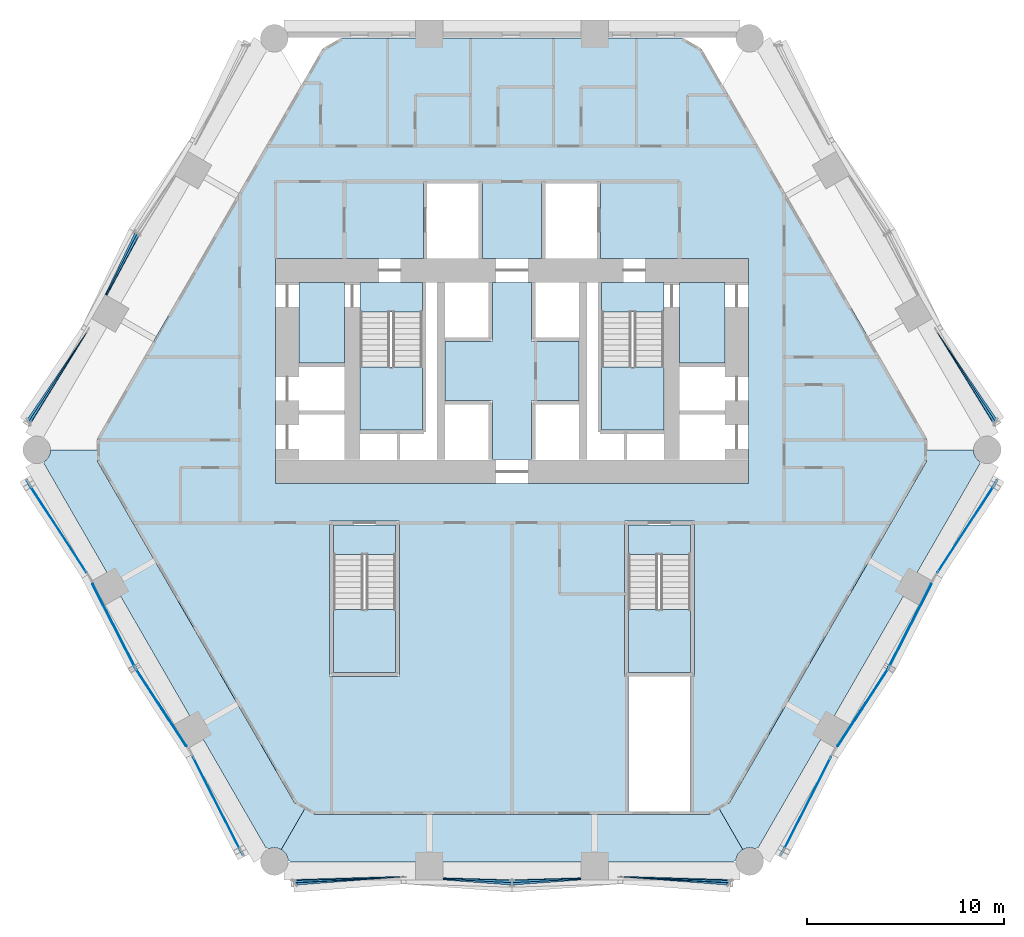
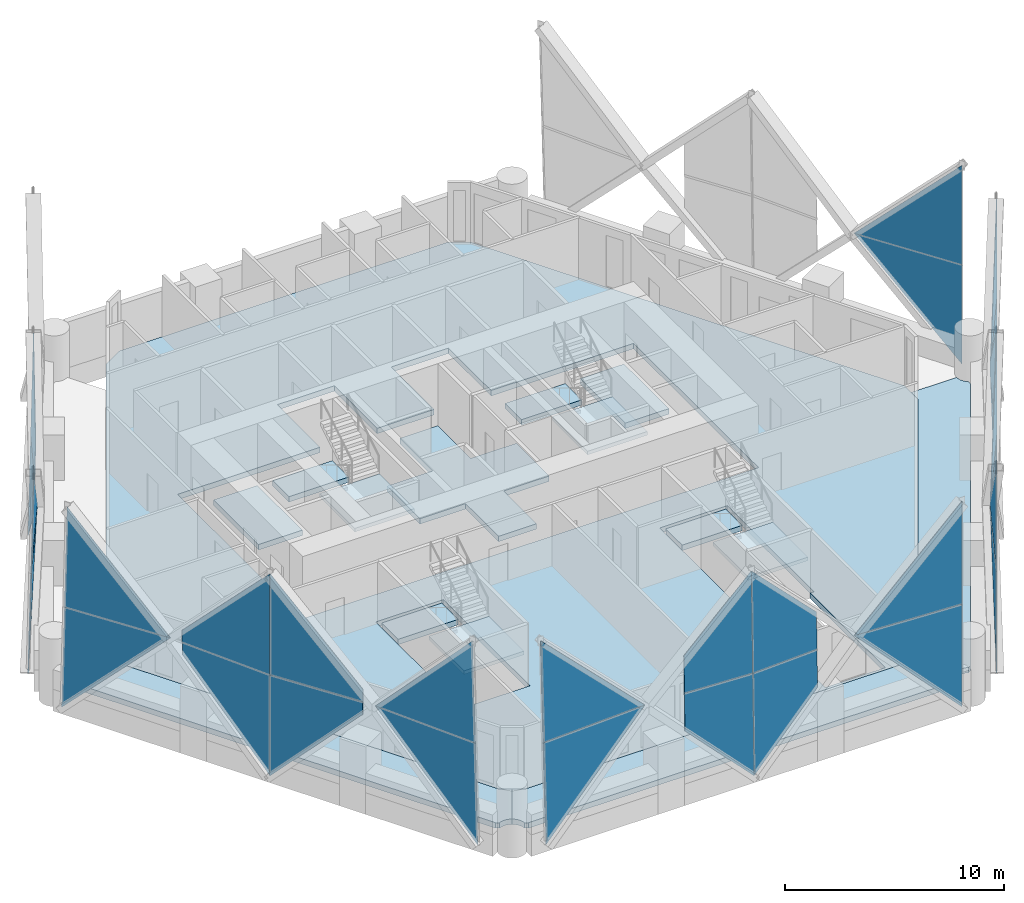
# One storey, part 9 of 22: 30 plates, 15 slabs, 22 elements without a shape of their own.
"""IFC4 building model written with IfcOpenShell, lengths in metres."""

from ifc_helpers import new_model, si_unit, direction, frame, origin, place, context, subcontext, project, spatial, polyline, outline, extrude, material, layer, layer_set, type_object, element, aggregate, save


model = new_model("IFC4")

# Units and contexts
model_context = context("Model", 3, precision=1e-05, world=origin(), true_north=direction((0.0, 1.0)))
body_context = subcontext(model_context, "Body", "Model", "MODEL_VIEW")
ifc_project = project(units=[si_unit("LENGTHUNIT", "METRE"), si_unit("AREAUNIT", "SQUARE_METRE"), si_unit("VOLUMEUNIT", "CUBIC_METRE"), si_unit("PLANEANGLEUNIT", "RADIAN"), si_unit("MASSUNIT", "GRAM", prefix="KILO")], contexts=[model_context])

# Site, building, storey
site_placement = place(None, origin())
site = spatial("IfcSite", under=ifc_project, at=site_placement, CompositionType="ELEMENT")
building_placement = place(site_placement, origin())
building = spatial("IfcBuilding", under=site, at=building_placement, Name="Ostrander Bayou Hotel Tower", CompositionType="ELEMENT")
storey_placement = place(building_placement, frame((0.0, 0.0, 35.5)))
storey = spatial("IfcBuildingStorey", under=building, at=storey_placement, Name="L08", CompositionType="ELEMENT", Elevation=35.5)

# Curtain wall, plate
ifc_material_1 = material(Name="Aluminium and clear glass", Category="aluminium")
curtain_wall_type = type_object("IfcCurtainWallType", Name="CW-LAT lattice glazing", PredefinedType="NOTDEFINED", material=ifc_material_1)
curtain_wall_1_placement = place(storey_placement, origin())
curtain_wall_1 = element("IfcCurtainWall", 1, at=curtain_wall_1_placement, inside=storey, type_object=curtain_wall_type, Name="CW-LAT L08 NW 3", PredefinedType="NOTDEFINED")
ifc_material_2 = material(Name="Clear laminated glass", Category="glass")
ifc_layer_1 = layer(ifc_material_2, 0.028076171875)
ifc_layer_set_1 = layer_set([ifc_layer_1], Name="CW-LA glazing panel 28 mm")
plate_type = type_object("IfcPlateType", Name="CW-LA glazing panel 28 mm", PredefinedType="CURTAIN_PANEL", material=ifc_layer_set_1)
plate_1_placement = place(storey_placement, frame((-20.63330078125, 7.8828125, 2.96240234375), z_axis=(-0.89065302554, 0.454162606444, 0.021760399925), x_axis=(0.304425828024, 0.631186879548, -0.713391924763)))
plate_1 = element("IfcPlate", 2, at=plate_1_placement, type_object=plate_type, Name="CW-LAT panel 5", PredefinedType="CURTAIN_PANEL", context=body_context, shape_type="SweptSolid", body=[
    extrude(outline(polyline([(0.0, 0.0), (4.99375585285075, 0.0), (0.9746522902781789, -3.9373236157538294), (-1.4720464066005683, -1.4453303511989464), (0.0, 0.0)])), origin(), (0.0, 0.0, -1.0), 0.028076171875),
])
aggregate(curtain_wall_1, [plate_1])

curtain_wall_2_placement = place(storey_placement, origin())
curtain_wall_2 = element("IfcCurtainWall", 3, at=curtain_wall_2_placement, inside=storey, type_object=curtain_wall_type, Name="CW-LAT L08 NW 4", PredefinedType="NOTDEFINED")
plate_2_placement = place(storey_placement, frame((-20.554443359375, 7.83984375, 7.090087890625), z_axis=(-0.890641544297, 0.454184739941, 0.021768361814), x_axis=(0.331778948191, 0.616380066581, 0.714141682763)))
plate_2 = element("IfcPlate", 4, at=plate_2_placement, type_object=plate_type, Name="CW-LAT panel 6", PredefinedType="CURTAIN_PANEL", context=body_context, shape_type="SweptSolid", body=[
    extrude(outline(polyline([(0.0, 0.0), (4.984744533527329, 0.0), (0.9702335919741518, 3.9419995865694277), (-1.4747146577726418, 1.4464556208432884), (0.0, 0.0)])), origin(), (0.0, 0.0, -1.0), 0.028076171875),
])
aggregate(curtain_wall_2, [plate_2])

curtain_wall_3_placement = place(storey_placement, origin())
curtain_wall_3 = element("IfcCurtainWall", 5, at=curtain_wall_3_placement, inside=storey, type_object=curtain_wall_type, Name="CW-LAT L08 NW 1", PredefinedType="NOTDEFINED")
plate_3_placement = place(storey_placement, frame((-21.513671875, 6.0576171875, 5.02490234375), z_axis=(-0.83863654021, 0.544229113436, 0.022437145865), x_axis=(-0.392393329971, -0.575067785554, -0.717861070551)))
plate_3 = element("IfcPlate", 6, at=plate_3_placement, type_object=plate_type, Name="CW-LAT panel 7", PredefinedType="CURTAIN_PANEL", context=body_context, shape_type="SweptSolid", body=[
    extrude(outline(polyline([(0.0, 0.0), (7.835778022733045, -4.440892098500626e-16), (3.840647643080846, 3.9622785757409424), (0.0, 0.0)])), origin(), (0.0, 0.0, -1.0), 0.028076171875),
])
aggregate(curtain_wall_3, [plate_3])

curtain_wall_4_placement = place(storey_placement, origin())
curtain_wall_4 = element("IfcCurtainWall", 7, at=curtain_wall_4_placement, inside=storey, type_object=curtain_wall_type, Name="CW-LAT L08 NW 2", PredefinedType="NOTDEFINED")
plate_4_placement = place(storey_placement, frame((-21.513671875, 6.0576171875, 5.02490234375), z_axis=(-0.83863654021, 0.544229113436, 0.022437145865), x_axis=(-0.370058319688, -0.599504334617, 0.709684009123)))
plate_4 = element("IfcPlate", 8, at=plate_4_placement, type_object=plate_type, Name="CW-LAT panel 8", PredefinedType="CURTAIN_PANEL", context=body_context, shape_type="SweptSolid", body=[
    extrude(outline(polyline([(0.0, 0.0), (7.926062765522442, -4.440892098500626e-16), (3.8866698607844468, -3.917144779472408), (0.0, 0.0)])), origin(), (0.0, 0.0, -1.0), 0.028076171875),
])
aggregate(curtain_wall_4, [plate_4])

curtain_wall_5_placement = place(storey_placement, origin())
curtain_wall_5 = element("IfcCurtainWall", 9, at=curtain_wall_5_placement, inside=storey, type_object=curtain_wall_type, Name="CW-LAT L08 SW 3", PredefinedType="NOTDEFINED")
plate_5_placement = place(storey_placement, frame((-21.56689453125, -6.211181640625, 5.02490234375), z_axis=(0.83829749854, 0.54521140652, 0.001351348216), x_axis=(-0.382244424421, 0.589489098619, -0.711612115277)))
plate_5 = element("IfcPlate", 10, at=plate_5_placement, type_object=plate_type, Name="CW-LAT panel 1", PredefinedType="CURTAIN_PANEL", context=body_context, shape_type="SweptSolid", body=[
    extrude(outline(polyline([(0.0, 0.0), (7.904587175011981, -4.440892098500626e-16), (3.8023149495079824, 3.851244065241004), (0.0, 0.0)])), origin(), (0.0, 0.0, -1.0), 0.028076171875),
])

curtain_wall_6_placement = place(storey_placement, origin())
curtain_wall_6 = element("IfcCurtainWall", 11, at=curtain_wall_6_placement, inside=storey, type_object=curtain_wall_type, Name="CW-LAT L08 SW 4", PredefinedType="NOTDEFINED")
plate_6_placement = place(storey_placement, frame((-21.56689453125, -6.211181640625, 5.02490234375), z_axis=(0.83829749854, 0.54521140652, 0.001351348216), x_axis=(-0.373606749057, 0.572635641145, 0.729730374556)))
plate_6 = element("IfcPlate", 12, at=plate_6_placement, type_object=plate_type, Name="CW-LAT panel 2", PredefinedType="CURTAIN_PANEL", context=body_context, shape_type="SweptSolid", body=[
    extrude(outline(polyline([(0.0, 0.0), (7.708326521861874, 0.0), (3.7003660372297182, -3.9493000665716416), (0.0, 0.0)])), origin(), (0.0, 0.0, -1.0), 0.028076171875),
])

curtain_wall_7_placement = place(storey_placement, origin())
curtain_wall_7 = element("IfcCurtainWall", 13, at=curtain_wall_7_placement, inside=storey, type_object=curtain_wall_type, Name="CW-LAT L08 SW 1", PredefinedType="NOTDEFINED")
plate_7_placement = place(storey_placement, frame((-21.267333984375, -6.800048828125, 4.33837890625), z_axis=(-0.891322840593, -0.453369158454, 0.0), x_axis=(0.314326100962, -0.617964473227, -0.720637920237)))
plate_7 = element("IfcPlate", 14, at=plate_7_placement, type_object=plate_type, Name="CW-LAT panel 3", PredefinedType="CURTAIN_PANEL", context=body_context, shape_type="SweptSolid", body=[
    extrude(outline(polyline([(0.0, 0.0), (6.852923533187115, 0.0), (2.7993352318532954, 3.8998778036355977), (-0.49473482219404075, 0.4759746694367752), (0.0, 0.0)])), origin(), (0.0, 0.0, -1.0), 0.028076171875),
])

curtain_wall_8_placement = place(storey_placement, origin())
curtain_wall_8 = element("IfcCurtainWall", 15, at=curtain_wall_8_placement, inside=storey, type_object=curtain_wall_type, Name="CW-LAT L08 SW 2", PredefinedType="NOTDEFINED")
plate_8_placement = place(storey_placement, frame((-21.267333984375, -6.800048828125, 5.711669921875), z_axis=(0.891322840593, 0.453369158454, 0.0), x_axis=(0.314334170853, -0.617980338618, 0.720620794951)))
plate_8 = element("IfcPlate", 16, at=plate_8_placement, type_object=plate_type, Name="CW-LAT panel 4", PredefinedType="CURTAIN_PANEL", context=body_context, shape_type="SweptSolid", body=[
    extrude(outline(polyline([(0.0, 0.0), (6.85274759828533, 0.0), (2.799255626685898, 3.89997792765279), (-0.4948989980950175, 0.4761561593093446), (0.0, 0.0)])), origin(), (0.0, 0.0, -1.0), 0.028076171875),
])

# Plate
plate_9_placement = place(storey_placement, frame((-16.52197265625, -15.01904296875, 4.339599609375), z_axis=(0.838287489363, 0.545228470623, 0.0), x_axis=(-0.37802629834, 0.581214543303, -0.7206148572)))
plate_9 = element("IfcPlate", 17, at=plate_9_placement, type_object=plate_type, Name="CW-LAT panel 5", PredefinedType="CURTAIN_PANEL", context=body_context, shape_type="SweptSolid", body=[
    extrude(outline(polyline([(0.0, 0.0), (6.8548368331193625, 0.0), (2.801378261371503, 3.9000126419184604), (-0.4938393320701493, 0.4751447693517846), (0.0, 0.0)])), origin(), (0.0, 0.0, -1.0), 0.028076171875),
])

aggregate(curtain_wall_5, [plate_5, plate_9])

plate_10_placement = place(storey_placement, frame((-16.52197265625, -15.01904296875, 5.710205078125), z_axis=(-0.838287489363, -0.545228470623, 0.0), x_axis=(-0.37802629834, 0.581214543303, 0.7206148572)))
plate_10 = element("IfcPlate", 18, at=plate_10_placement, type_object=plate_type, Name="CW-LAT panel 6", PredefinedType="CURTAIN_PANEL", context=body_context, shape_type="SweptSolid", body=[
    extrude(outline(polyline([(0.0, 0.0), (6.8548368331193625, 0.0), (2.801378261371503, 3.9000126419184604), (-0.4938393320701493, 0.4751447693517846), (0.0, 0.0)])), origin(), (0.0, 0.0, -1.0), 0.028076171875),
])

aggregate(curtain_wall_6, [plate_6, plate_10])

plate_11_placement = place(storey_placement, frame((-16.16259765625, -15.572021484375, 5.02490234375), z_axis=(0.891301242353, 0.453409696674, 0.001319977554), x_axis=(0.319390978433, -0.625778997585, -0.711610883192)))
plate_11 = element("IfcPlate", 19, at=plate_11_placement, type_object=plate_type, Name="CW-LAT panel 7", PredefinedType="CURTAIN_PANEL", context=body_context, shape_type="SweptSolid", body=[
    extrude(outline(polyline([(0.0, 0.0), (7.904600861031785, 0.0), (3.8023291402610164, -3.8512446028732104), (0.0, 0.0)])), origin(), (0.0, 0.0, -1.0), 0.028076171875),
])

aggregate(curtain_wall_7, [plate_7, plate_11])

plate_12_placement = place(storey_placement, frame((-16.16259765625, -15.572021484375, 5.02490234375), z_axis=(0.891301242353, 0.453409696674, 0.001319977554), x_axis=(0.309153546945, -0.60985058359, 0.729730326975)))
plate_12 = element("IfcPlate", 20, at=plate_12_placement, type_object=plate_type, Name="CW-LAT panel 8", PredefinedType="CURTAIN_PANEL", context=body_context, shape_type="SweptSolid", body=[
    extrude(outline(polyline([(0.0, 0.0), (7.708327024474441, -1.3322676295501878e-15), (3.700373567114912, 3.9493071982102608), (0.0, 0.0)])), origin(), (0.0, 0.0, -1.0), 0.028076171875),
])

aggregate(curtain_wall_8, [plate_8, plate_12])

# Curtain wall, plate
curtain_wall_9_placement = place(storey_placement, origin())
curtain_wall_9 = element("IfcCurtainWall", 21, at=curtain_wall_9_placement, inside=storey, type_object=curtain_wall_type, Name="CW-LAT L08 S 3", PredefinedType="NOTDEFINED")
plate_13_placement = place(storey_placement, frame((-5.5107421875, -21.660400390625, 5.02490234375), z_axis=(0.051972154373, -0.998396143412, 0.022450745873), x_axis=(-0.6942326437, -0.052280871382, -0.717849390129)))
plate_13 = element("IfcPlate", 22, at=plate_13_placement, type_object=plate_type, Name="CW-LAT panel 1", PredefinedType="CURTAIN_PANEL", context=body_context, shape_type="SweptSolid", body=[
    extrude(outline(polyline([(0.0, 0.0), (7.8359055218942615, -4.440892098500626e-16), (3.8407346820008614, -3.9622377796216433), (0.0, 0.0)])), origin(), (0.0, 0.0, -1.0), 0.028076171875),
])

curtain_wall_10_placement = place(storey_placement, origin())
curtain_wall_10 = element("IfcCurtainWall", 23, at=curtain_wall_10_placement, inside=storey, type_object=curtain_wall_type, Name="CW-LAT L08 S 4", PredefinedType="NOTDEFINED")
plate_14_placement = place(storey_placement, frame((-5.5107421875, -21.660400390625, 5.02490234375), z_axis=(0.051972154373, -0.998396143412, 0.022450745873), x_axis=(-0.70420853583, -0.020699332345, 0.709691394695)))
plate_14 = element("IfcPlate", 24, at=plate_14_placement, type_object=plate_type, Name="CW-LAT panel 2", PredefinedType="CURTAIN_PANEL", context=body_context, shape_type="SweptSolid", body=[
    extrude(outline(polyline([(0.0, 0.0), (7.925980281069895, 4.440892098500626e-16), (3.886649606020842, 3.9172089502352754), (0.0, 0.0)])), origin(), (0.0, 0.0, -1.0), 0.028076171875),
])

curtain_wall_11_placement = place(storey_placement, origin())
curtain_wall_11 = element("IfcCurtainWall", 25, at=curtain_wall_11_placement, inside=storey, type_object=curtain_wall_type, Name="CW-LAT L08 S 1", PredefinedType="NOTDEFINED")
plate_15_placement = place(storey_placement, frame((-3.489990234375, -21.810546875, 2.96240234375), z_axis=(-0.051995287721, -0.998409367734, 0.021799643944), x_axis=(0.698853953193, -0.051971073788, -0.713373786732)))
plate_15 = element("IfcPlate", 26, at=plate_15_placement, type_object=plate_type, Name="CW-LAT panel 3", PredefinedType="CURTAIN_PANEL", context=body_context, shape_type="SweptSolid", body=[
    extrude(outline(polyline([(0.0, 0.0), (4.9938751973434234, 0.0), (0.9747654570070761, 3.9373166505197696), (-1.4719618868056428, 1.4454267151489575), (0.0, 0.0)])), origin(), (0.0, 0.0, -1.0), 0.028076171875),
])

curtain_wall_12_placement = place(storey_placement, origin())
curtain_wall_12 = element("IfcCurtainWall", 27, at=curtain_wall_12_placement, inside=storey, type_object=curtain_wall_type, Name="CW-LAT L08 S 2", PredefinedType="NOTDEFINED")
plate_16_placement = place(storey_placement, frame((-3.487548828125, -21.720703125, 7.090087890625), z_axis=(-0.051959581698, -0.998411536, 0.021785468831), x_axis=(0.699666811549, -0.020829048641, 0.714165599528)))
plate_16 = element("IfcPlate", 28, at=plate_16_placement, type_object=plate_type, Name="CW-LAT panel 4", PredefinedType="CURTAIN_PANEL", context=body_context, shape_type="SweptSolid", body=[
    extrude(outline(polyline([(0.0, 0.0), (4.984580409026252, 0.0), (0.9699567758100394, -3.9418907380905286), (-1.4749736968566496, -1.4461894941795186), (0.0, 0.0)])), origin(), (0.0, 0.0, -1.0), 0.028076171875),
])

# Plate
plate_17_placement = place(storey_placement, frame((3.490234375, -21.810546875, 2.962646484375), z_axis=(0.051994431512, -0.99840925302, 0.021806938701), x_axis=(-0.698854164274, -0.051975691748, -0.713373243502)))
plate_17 = element("IfcPlate", 29, at=plate_17_placement, type_object=plate_type, Name="CW-LAT panel 5", PredefinedType="CURTAIN_PANEL", context=body_context, shape_type="SweptSolid", body=[
    extrude(outline(polyline([(0.0, 0.0), (4.994219979299379, -4.440892098500626e-16), (0.9751127275332518, -3.9373191904089238), (-1.4711043351666815, -1.4459532906479644), (0.0, 0.0)])), origin(), (0.0, 0.0, -1.0), 0.028076171875),
])

aggregate(curtain_wall_9, [plate_13, plate_17])

plate_18_placement = place(storey_placement, frame((3.486328125, -21.720703125, 7.09130859375), z_axis=(0.051968257254, -0.998411016142, 0.021788599881), x_axis=(-0.699664352858, -0.020832721292, 0.714167901171)))
plate_18 = element("IfcPlate", 30, at=plate_18_placement, type_object=plate_type, Name="CW-LAT panel 6", PredefinedType="CURTAIN_PANEL", context=body_context, shape_type="SweptSolid", body=[
    extrude(outline(polyline([(0.0, 0.0), (4.982854539266031, 8.881784197001252e-16), (0.9682184103181013, 3.941878012005499), (-1.4765333345513856, 1.4463429866847186), (0.0, 0.0)])), origin(), (0.0, 0.0, -1.0), 0.028076171875),
])

aggregate(curtain_wall_10, [plate_14, plate_18])

plate_19_placement = place(storey_placement, frame((5.5107421875, -21.660400390625, 5.02490234375), z_axis=(-0.051972154373, -0.998396143412, 0.022450745873), x_axis=(0.6942326437, -0.052280871382, -0.717849390129)))
plate_19 = element("IfcPlate", 31, at=plate_19_placement, type_object=plate_type, Name="CW-LAT panel 7", PredefinedType="CURTAIN_PANEL", context=body_context, shape_type="SweptSolid", body=[
    extrude(outline(polyline([(0.0, 0.0), (7.8359055218942615, 4.440892098500626e-16), (3.8407346820008614, 3.9622377796216433), (0.0, 0.0)])), origin(), (0.0, 0.0, -1.0), 0.028076171875),
])

aggregate(curtain_wall_11, [plate_15, plate_19])

plate_20_placement = place(storey_placement, frame((5.5107421875, -21.660400390625, 5.02490234375), z_axis=(-0.051972154373, -0.998396143412, 0.022450745873), x_axis=(0.70420853583, -0.020699332345, 0.709691394695)))
plate_20 = element("IfcPlate", 32, at=plate_20_placement, type_object=plate_type, Name="CW-LAT panel 8", PredefinedType="CURTAIN_PANEL", context=body_context, shape_type="SweptSolid", body=[
    extrude(outline(polyline([(0.0, 0.0), (7.925980281069895, -4.440892098500626e-16), (3.886649606020842, -3.9172089502352754), (0.0, 0.0)])), origin(), (0.0, 0.0, -1.0), 0.028076171875),
])

aggregate(curtain_wall_12, [plate_16, plate_20])

# Curtain wall, plate
curtain_wall_13_placement = place(storey_placement, origin())
curtain_wall_13 = element("IfcCurtainWall", 33, at=curtain_wall_13_placement, inside=storey, type_object=curtain_wall_type, Name="CW-LAT L08 SE 3", PredefinedType="NOTDEFINED")
plate_21_placement = place(storey_placement, frame((16.16259765625, -15.572021484375, 5.02490234375), z_axis=(-0.891301242353, 0.453409696674, 0.001319977554), x_axis=(-0.319390978433, -0.625778997585, -0.711610883192)))
plate_21 = element("IfcPlate", 34, at=plate_21_placement, type_object=plate_type, Name="CW-LAT panel 1", PredefinedType="CURTAIN_PANEL", context=body_context, shape_type="SweptSolid", body=[
    extrude(outline(polyline([(0.0, 0.0), (7.904600861031785, 0.0), (3.8023291402610164, 3.8512446028732104), (0.0, 0.0)])), origin(), (0.0, 0.0, -1.0), 0.028076171875),
])

curtain_wall_14_placement = place(storey_placement, origin())
curtain_wall_14 = element("IfcCurtainWall", 35, at=curtain_wall_14_placement, inside=storey, type_object=curtain_wall_type, Name="CW-LAT L08 SE 4", PredefinedType="NOTDEFINED")
plate_22_placement = place(storey_placement, frame((16.16259765625, -15.572021484375, 5.02490234375), z_axis=(-0.891301242353, 0.453409696674, 0.001319977554), x_axis=(-0.309153546945, -0.60985058359, 0.729730326975)))
plate_22 = element("IfcPlate", 36, at=plate_22_placement, type_object=plate_type, Name="CW-LAT panel 2", PredefinedType="CURTAIN_PANEL", context=body_context, shape_type="SweptSolid", body=[
    extrude(outline(polyline([(0.0, 0.0), (7.708327024474441, 1.3322676295501878e-15), (3.700373567114912, -3.9493071982102608), (0.0, 0.0)])), origin(), (0.0, 0.0, -1.0), 0.028076171875),
])

curtain_wall_15_placement = place(storey_placement, origin())
curtain_wall_15 = element("IfcCurtainWall", 37, at=curtain_wall_15_placement, inside=storey, type_object=curtain_wall_type, Name="CW-LAT L08 SE 1", PredefinedType="NOTDEFINED")
plate_23_placement = place(storey_placement, frame((16.52197265625, -15.01904296875, 4.339599609375), z_axis=(0.838287489363, -0.545228470623, 0.0), x_axis=(0.37802629834, 0.581214543303, -0.7206148572)))
plate_23 = element("IfcPlate", 38, at=plate_23_placement, type_object=plate_type, Name="CW-LAT panel 3", PredefinedType="CURTAIN_PANEL", context=body_context, shape_type="SweptSolid", body=[
    extrude(outline(polyline([(0.0, 0.0), (6.8548368331193625, 0.0), (2.801378261371503, 3.9000126419184604), (-0.4938393320701493, 0.4751447693517846), (0.0, 0.0)])), origin(), (0.0, 0.0, -1.0), 0.028076171875),
])

curtain_wall_16_placement = place(storey_placement, origin())
curtain_wall_16 = element("IfcCurtainWall", 39, at=curtain_wall_16_placement, inside=storey, type_object=curtain_wall_type, Name="CW-LAT L08 SE 2", PredefinedType="NOTDEFINED")
plate_24_placement = place(storey_placement, frame((16.52197265625, -15.01904296875, 5.710205078125), z_axis=(-0.838287489363, 0.545228470623, 0.0), x_axis=(0.37802629834, 0.581214543303, 0.7206148572)))
plate_24 = element("IfcPlate", 40, at=plate_24_placement, type_object=plate_type, Name="CW-LAT panel 4", PredefinedType="CURTAIN_PANEL", context=body_context, shape_type="SweptSolid", body=[
    extrude(outline(polyline([(0.0, 0.0), (6.8548368331193625, 0.0), (2.801378261371503, 3.9000126419184604), (-0.4938393320701493, 0.4751447693517846), (0.0, 0.0)])), origin(), (0.0, 0.0, -1.0), 0.028076171875),
])

# Plate
plate_25_placement = place(storey_placement, frame((21.267333984375, -6.800048828125, 4.33837890625), z_axis=(-0.891322840593, 0.453369158454, 0.0), x_axis=(-0.314326100962, -0.617964473227, -0.720637920237)))
plate_25 = element("IfcPlate", 41, at=plate_25_placement, type_object=plate_type, Name="CW-LAT panel 5", PredefinedType="CURTAIN_PANEL", context=body_context, shape_type="SweptSolid", body=[
    extrude(outline(polyline([(0.0, 0.0), (6.852923533187115, 0.0), (2.7993352318532954, 3.8998778036355977), (-0.49473482219404075, 0.4759746694367752), (0.0, 0.0)])), origin(), (0.0, 0.0, -1.0), 0.028076171875),
])

aggregate(curtain_wall_13, [plate_21, plate_25])

plate_26_placement = place(storey_placement, frame((21.267333984375, -6.800048828125, 5.711669921875), z_axis=(0.891322840593, -0.453369158454, 0.0), x_axis=(-0.314334170853, -0.617980338618, 0.720620794951)))
plate_26 = element("IfcPlate", 42, at=plate_26_placement, type_object=plate_type, Name="CW-LAT panel 6", PredefinedType="CURTAIN_PANEL", context=body_context, shape_type="SweptSolid", body=[
    extrude(outline(polyline([(0.0, 0.0), (6.85274759828533, 0.0), (2.799255626685898, 3.89997792765279), (-0.4948989980950175, 0.4761561593093446), (0.0, 0.0)])), origin(), (0.0, 0.0, -1.0), 0.028076171875),
])

aggregate(curtain_wall_14, [plate_22, plate_26])

plate_27_placement = place(storey_placement, frame((21.56689453125, -6.211181640625, 5.02490234375), z_axis=(-0.83829749854, 0.54521140652, 0.001351348216), x_axis=(0.382244424421, 0.589489098619, -0.711612115277)))
plate_27 = element("IfcPlate", 43, at=plate_27_placement, type_object=plate_type, Name="CW-LAT panel 7", PredefinedType="CURTAIN_PANEL", context=body_context, shape_type="SweptSolid", body=[
    extrude(outline(polyline([(0.0, 0.0), (7.904587175011981, 4.440892098500626e-16), (3.8023149495079824, -3.851244065241004), (0.0, 0.0)])), origin(), (0.0, 0.0, -1.0), 0.028076171875),
])

aggregate(curtain_wall_15, [plate_23, plate_27])

plate_28_placement = place(storey_placement, frame((21.56689453125, -6.211181640625, 5.02490234375), z_axis=(-0.83829749854, 0.54521140652, 0.001351348216), x_axis=(0.373606749057, 0.572635641145, 0.729730374556)))
plate_28 = element("IfcPlate", 44, at=plate_28_placement, type_object=plate_type, Name="CW-LAT panel 8", PredefinedType="CURTAIN_PANEL", context=body_context, shape_type="SweptSolid", body=[
    extrude(outline(polyline([(0.0, 0.0), (7.708326521861874, 0.0), (3.7003660372297182, 3.9493000665716416), (0.0, 0.0)])), origin(), (0.0, 0.0, -1.0), 0.028076171875),
])

aggregate(curtain_wall_16, [plate_24, plate_28])

# Curtain wall, plate
curtain_wall_17_placement = place(storey_placement, origin())
curtain_wall_17 = element("IfcCurtainWall", 45, at=curtain_wall_17_placement, inside=storey, type_object=curtain_wall_type, Name="CW-LAT L08 NE 3", PredefinedType="NOTDEFINED")
plate_29_placement = place(storey_placement, frame((21.513671875, 6.0576171875, 5.02490234375), z_axis=(0.83863654021, 0.544229113436, 0.022437145865), x_axis=(0.392393329971, -0.575067785554, -0.717861070551)))
plate_29 = element("IfcPlate", 46, at=plate_29_placement, type_object=plate_type, Name="CW-LAT panel 1", PredefinedType="CURTAIN_PANEL", context=body_context, shape_type="SweptSolid", body=[
    extrude(outline(polyline([(0.0, 0.0), (7.835778022733045, 4.440892098500626e-16), (3.840647643080846, -3.9622785757409424), (0.0, 0.0)])), origin(), (0.0, 0.0, -1.0), 0.028076171875),
])
aggregate(curtain_wall_17, [plate_29])

curtain_wall_18_placement = place(storey_placement, origin())
curtain_wall_18 = element("IfcCurtainWall", 47, at=curtain_wall_18_placement, inside=storey, type_object=curtain_wall_type, Name="CW-LAT L08 NE 4", PredefinedType="NOTDEFINED")
plate_30_placement = place(storey_placement, frame((21.513671875, 6.0576171875, 5.02490234375), z_axis=(0.83863654021, 0.544229113436, 0.022437145865), x_axis=(0.370058319688, -0.599504334617, 0.709684009123)))
plate_30 = element("IfcPlate", 48, at=plate_30_placement, type_object=plate_type, Name="CW-LAT panel 2", PredefinedType="CURTAIN_PANEL", context=body_context, shape_type="SweptSolid", body=[
    extrude(outline(polyline([(0.0, 0.0), (7.926062765522442, 4.440892098500626e-16), (3.8866698607844468, 3.917144779472408), (0.0, 0.0)])), origin(), (0.0, 0.0, -1.0), 0.028076171875),
])
aggregate(curtain_wall_18, [plate_30])

# Slabs
ifc_material_3 = material(Name="Concrete f'c 40 MPa", Category="concrete")
ifc_layer_2 = layer(ifc_material_3, 0.300048828125)
ifc_layer_set_2 = layer_set([ifc_layer_2], Name="SL1 floor slab 300 mm f'c 40 MPa")
slab_type_1 = type_object("IfcSlabType", Name="SL1 floor slab 300 mm f'c 40 MPa", PredefinedType="FLOOR", material=ifc_layer_set_2)
slab_1_placement = place(storey_placement, frame((0.0, 0.0, -0.300048828125)))
element("IfcSlab", 49, at=slab_1_placement, inside=storey, type_object=slab_type_1, Name="SL1 L08 1", PredefinedType="FLOOR", context=body_context, shape_type="SweptSolid", body=[
    extrude(outline(polyline([(-3.525390625, 20.89990234375), (3.525390625, 20.89990234375), (4.865478515625, 20.89990234375), (8.6025390625, 20.89990234375), (9.6416015625, 20.300048828125), (21.015380859375, 0.60009765625), (21.015380859375, -0.60009765625), (11.02734375, -17.89990234375), (9.98828125, -18.5), (-9.98828125, -18.5), (-11.02734375, -17.89990234375), (-21.015380859375, -0.60009765625), (-21.015380859375, 0.60009765625), (-9.6416015625, 20.300048828125), (-8.6025390625, 20.89990234375), (-4.865478515625, 20.89990234375), (-3.525390625, 20.89990234375)]), holes=[polyline([(-12.0, -1.699951171875), (12.0, -1.699951171875), (12.0, 9.699951171875), (4.5, 9.699951171875), (4.5, 13.60009765625), (1.5, 13.60009765625), (1.5, 9.699951171875), (-1.5, 9.699951171875), (-1.5, 13.60009765625), (-4.5, 13.60009765625), (-4.5, 9.699951171875), (-12.0, 9.699951171875), (-12.0, -1.699951171875)]), polyline([(9.050048828125, -11.5), (9.25, -11.5), (9.25, -3.60009765625), (5.699951171875, -3.60009765625), (5.699951171875, -11.5), (5.89990234375, -11.5), (5.89990234375, -18.35009765625), (9.050048828125, -18.35009765625), (9.050048828125, -11.5)]), polyline([(-5.699951171875, -3.60009765625), (-9.25, -3.60009765625), (-9.25, -11.5), (-5.699951171875, -11.5), (-5.699951171875, -3.60009765625)])]), origin(), (0.0, 0.0, 1.0), 0.300048828125),
])
slab_2_placement = place(storey_placement, frame((0.0, 0.0, -0.300048828125)))
element("IfcSlab", 50, at=slab_2_placement, inside=storey, type_object=slab_type_1, Name="cslab:L08:001", PredefinedType="FLOOR", context=body_context, shape_type="SweptSolid", body=[
    extrude(outline(polyline([(-3.39990234375, 5.5), (-1.0, 5.5), (-1.0, 8.5), (1.0, 8.5), (1.0, 5.5), (3.39990234375, 5.5), (3.39990234375, 2.5), (1.0, 2.5), (1.0, -0.5), (-1.0, -0.5), (-1.0, 2.5), (-3.39990234375, 2.5), (-3.39990234375, 5.5)])), origin(), (0.0, 0.0, 1.0), 0.300048828125),
])
slab_3_placement = place(storey_placement, frame((0.0, 0.0, -0.300048828125)))
element("IfcSlab", 51, at=slab_3_placement, inside=storey, type_object=slab_type_1, Name="cslab:L08:002", PredefinedType="FLOOR", context=body_context, shape_type="SweptSolid", body=[
    extrude(outline(polyline([(-8.5, 4.39990234375), (-8.5, 8.5), (-10.800048828125, 8.5), (-10.800048828125, 4.39990234375), (-8.5, 4.39990234375)])), origin(), (0.0, 0.0, 1.0), 0.300048828125),
])
slab_4_placement = place(storey_placement, frame((0.0, 0.0, -0.300048828125)))
element("IfcSlab", 52, at=slab_4_placement, inside=storey, type_object=slab_type_1, Name="cslab:L08:003", PredefinedType="FLOOR", context=body_context, shape_type="SweptSolid", body=[
    extrude(outline(polyline([(10.800048828125, 4.39990234375), (10.800048828125, 8.5), (8.5, 8.5), (8.5, 4.39990234375), (10.800048828125, 4.39990234375)])), origin(), (0.0, 0.0, 1.0), 0.300048828125),
])
slab_5_placement = place(storey_placement, frame((0.0, 0.0, -0.300048828125)))
element("IfcSlab", 53, at=slab_5_placement, inside=storey, type_object=slab_type_1, Name="cslab:L08:004", PredefinedType="FLOOR", context=body_context, shape_type="SweptSolid", body=[
    extrude(outline(polyline([(-4.550048828125, 7.0), (-4.550048828125, 8.5), (-7.699951171875, 8.5), (-7.699951171875, 7.0), (-4.550048828125, 7.0)])), origin(), (0.0, 0.0, 1.0), 0.300048828125),
])
slab_6_placement = place(storey_placement, frame((0.0, 0.0, -0.300048828125)))
element("IfcSlab", 54, at=slab_6_placement, inside=storey, type_object=slab_type_1, Name="cslab:L08:005", PredefinedType="FLOOR", context=body_context, shape_type="SweptSolid", body=[
    extrude(outline(polyline([(7.699951171875, 7.0), (7.699951171875, 8.5), (4.550048828125, 8.5), (4.550048828125, 7.0), (7.699951171875, 7.0)])), origin(), (0.0, 0.0, 1.0), 0.300048828125),
])
slab_7_placement = place(storey_placement, frame((0.0, 0.0, -0.300048828125)))
element("IfcSlab", 55, at=slab_7_placement, inside=storey, type_object=slab_type_1, Name="cslab:L08:006", PredefinedType="FLOOR", context=body_context, shape_type="SweptSolid", body=[
    extrude(outline(polyline([(9.050048828125, -5.300048828125), (9.050048828125, -3.800048828125), (5.89990234375, -3.800048828125), (5.89990234375, -5.300048828125), (9.050048828125, -5.300048828125)])), origin(), (0.0, 0.0, 1.0), 0.300048828125),
])
slab_8_placement = place(storey_placement, frame((0.0, 0.0, -0.300048828125)))
element("IfcSlab", 56, at=slab_8_placement, inside=storey, type_object=slab_type_1, Name="cslab:L08:007", PredefinedType="FLOOR", context=body_context, shape_type="SweptSolid", body=[
    extrude(outline(polyline([(-5.89990234375, -5.300048828125), (-5.89990234375, -3.800048828125), (-9.050048828125, -3.800048828125), (-9.050048828125, -5.300048828125), (-5.89990234375, -5.300048828125)])), origin(), (0.0, 0.0, 1.0), 0.300048828125),
])
ifc_material_4 = material(Name="Concrete f'c 40 MPa", Category="concrete")
ifc_layer_3 = layer(ifc_material_4, 0.300048828125)
ifc_layer_set_3 = layer_set([ifc_layer_3], Name="SL4 loggia slab 300 mm f'c 40 MPa")
slab_type_2 = type_object("IfcSlabType", Name="SL4 loggia slab 300 mm f'c 40 MPa", PredefinedType="FLOOR", material=ifc_layer_set_3)
slab_9_placement = place(storey_placement, frame((0.0, 0.0, -0.300048828125)))
element("IfcSlab", 57, at=slab_9_placement, inside=storey, type_object=slab_type_2, Name="SL4 LOGGIA L08 SW 1", PredefinedType="FLOOR", context=body_context, shape_type="SweptSolid", body=[
    extrude(outline(polyline([(-10.5078125, -18.199951171875), (-11.7021484375, -20.2685546875), (-11.78271484375, -20.2255859375), (-11.9140625, -20.185791015625), (-12.050537109375, -20.172119140625), (-12.187255859375, -20.185791015625), (-12.318603515625, -20.2255859375), (-12.344482421875, -20.239501953125), (-12.49951171875, -20.14990234375), (-15.667236328125, -14.66357421875), (-16.337158203125, -13.503173828125), (-19.862548828125, -7.39697265625), (-20.53271484375, -6.236328125), (-23.505126953125, -1.087890625), (-23.7001953125, -0.75), (-23.7001953125, -0.572021484375), (-23.606201171875, -0.4951171875), (-23.519287109375, -0.388916015625), (-23.45458984375, -0.267822265625), (-23.41455078125, -0.13671875), (-23.401123046875, 0.0), (-21.015380859375, 0.0), (-21.015380859375, -0.60009765625), (-11.02734375, -17.89990234375), (-10.5078125, -18.199951171875)])), origin(), (0.0, 0.0, 1.0), 0.300048828125),
])
slab_10_placement = place(storey_placement, frame((0.0, 0.0, -0.300048828125)))
element("IfcSlab", 58, at=slab_10_placement, inside=storey, type_object=slab_type_2, Name="SL4 LOGGIA L08 S 1", PredefinedType="FLOOR", context=body_context, shape_type="SweptSolid", body=[
    extrude(outline(polyline([(10.5078125, -18.199951171875), (11.7021484375, -20.2685546875), (11.66162109375, -20.290283203125), (11.5556640625, -20.377197265625), (11.468505859375, -20.4833984375), (11.40380859375, -20.6044921875), (11.364013671875, -20.735595703125), (11.356689453125, -20.809814453125), (11.20068359375, -20.89990234375), (4.865478515625, -20.89990234375), (3.525390625, -20.89990234375), (-3.525390625, -20.89990234375), (-4.865478515625, -20.89990234375), (-11.20068359375, -20.89990234375), (-11.356689453125, -20.809814453125), (-11.364013671875, -20.735595703125), (-11.40380859375, -20.6044921875), (-11.468505859375, -20.4833984375), (-11.5556640625, -20.377197265625), (-11.66162109375, -20.290283203125), (-11.7021484375, -20.2685546875), (-10.5078125, -18.199951171875), (-9.98828125, -18.5), (9.98828125, -18.5), (10.5078125, -18.199951171875)])), origin(), (0.0, 0.0, 1.0), 0.300048828125),
])
slab_11_placement = place(storey_placement, frame((0.0, 0.0, -0.300048828125)))
element("IfcSlab", 59, at=slab_11_placement, inside=storey, type_object=slab_type_2, Name="SL4 LOGGIA L08 SE 1", PredefinedType="FLOOR", context=body_context, shape_type="SweptSolid", body=[
    extrude(outline(polyline([(21.015380859375, 0.0), (23.401123046875, 0.0), (23.41455078125, -0.13671875), (23.45458984375, -0.267822265625), (23.519287109375, -0.388916015625), (23.606201171875, -0.4951171875), (23.7001953125, -0.572021484375), (23.7001953125, -0.75), (20.53271484375, -6.236328125), (19.862548828125, -7.39697265625), (16.337158203125, -13.503173828125), (15.667236328125, -14.66357421875), (12.49951171875, -20.14990234375), (12.344482421875, -20.239501953125), (12.318603515625, -20.2255859375), (12.187255859375, -20.185791015625), (12.050537109375, -20.172119140625), (11.9140625, -20.185791015625), (11.78271484375, -20.2255859375), (11.7021484375, -20.2685546875), (10.5078125, -18.199951171875), (11.02734375, -17.89990234375), (21.015380859375, -0.60009765625), (21.015380859375, 0.0)])), origin(), (0.0, 0.0, 1.0), 0.300048828125),
])

# Stair, slab
ifc_material_5 = material(Name="Concrete f'c 45 MPa", Category="concrete")
stair_type = type_object("IfcStairType", Name="ST1 exit stair 1500 mm f'c 45 MPa", PredefinedType="HALF_TURN_STAIR", material=ifc_material_5)
stair_1_placement = place(storey_placement, origin())
stair_1 = element("IfcStair", 60, at=stair_1_placement, inside=storey, type_object=stair_type, Name="L08 exit stair A", PredefinedType="HALF_TURN_STAIR")
ifc_material_6 = material(Name="Concrete f'c 45 MPa", Category="concrete")
ifc_layer_4 = layer(ifc_material_6, 0.199951171875)
ifc_layer_set_4 = layer_set([ifc_layer_4], Name="SL8 stair landing 200 mm f'c 45 MPa")
slab_type_3 = type_object("IfcSlabType", Name="SL8 stair landing 200 mm f'c 45 MPa", PredefinedType="LANDING", material=ifc_layer_set_4)
slab_12_placement = place(storey_placement, frame((0.0, 0.0, 1.675048828125)))
slab_12 = element("IfcSlab", 61, at=slab_12_placement, type_object=slab_type_3, Name="STA landing 1", PredefinedType="LANDING", context=body_context, shape_type="SweptSolid", body=[
    extrude(outline(polyline([(-7.699951171875, 4.199951171875), (-7.699951171875, 1.0), (-4.550048828125, 1.0), (-4.550048828125, 4.199951171875), (-7.699951171875, 4.199951171875)])), origin(), (0.0, 0.0, 1.0), 0.199951171875),
])
aggregate(stair_1, [slab_12])

stair_2_placement = place(storey_placement, origin())
stair_2 = element("IfcStair", 62, at=stair_2_placement, inside=storey, type_object=stair_type, Name="L08 exit stair B", PredefinedType="HALF_TURN_STAIR")
slab_13_placement = place(storey_placement, frame((0.0, 0.0, 1.675048828125)))
slab_13 = element("IfcSlab", 63, at=slab_13_placement, type_object=slab_type_3, Name="STB landing 1", PredefinedType="LANDING", context=body_context, shape_type="SweptSolid", body=[
    extrude(outline(polyline([(4.550048828125, 4.199951171875), (4.550048828125, 1.0), (7.699951171875, 1.0), (7.699951171875, 4.199951171875), (4.550048828125, 4.199951171875)])), origin(), (0.0, 0.0, 1.0), 0.199951171875),
])
aggregate(stair_2, [slab_13])

stair_3_placement = place(storey_placement, origin())
stair_3 = element("IfcStair", 64, at=stair_3_placement, inside=storey, type_object=stair_type, Name="L08 exit stair C", PredefinedType="HALF_TURN_STAIR")
slab_14_placement = place(storey_placement, frame((0.0, 0.0, 1.675048828125)))
slab_14 = element("IfcSlab", 65, at=slab_14_placement, type_object=slab_type_3, Name="STC landing 1", PredefinedType="LANDING", context=body_context, shape_type="SweptSolid", body=[
    extrude(outline(polyline([(5.89990234375, -8.10009765625), (5.89990234375, -11.300048828125), (9.050048828125, -11.300048828125), (9.050048828125, -8.10009765625), (5.89990234375, -8.10009765625)])), origin(), (0.0, 0.0, 1.0), 0.199951171875),
])
aggregate(stair_3, [slab_14])

stair_4_placement = place(storey_placement, origin())
stair_4 = element("IfcStair", 66, at=stair_4_placement, inside=storey, type_object=stair_type, Name="L08 exit stair D", PredefinedType="HALF_TURN_STAIR")
slab_15_placement = place(storey_placement, frame((0.0, 0.0, 1.675048828125)))
slab_15 = element("IfcSlab", 67, at=slab_15_placement, type_object=slab_type_3, Name="STD landing 1", PredefinedType="LANDING", context=body_context, shape_type="SweptSolid", body=[
    extrude(outline(polyline([(-9.050048828125, -8.10009765625), (-9.050048828125, -11.300048828125), (-5.89990234375, -11.300048828125), (-5.89990234375, -8.10009765625), (-9.050048828125, -8.10009765625)])), origin(), (0.0, 0.0, 1.0), 0.199951171875),
])
aggregate(stair_4, [slab_15])

save(model, "model.ifc")
